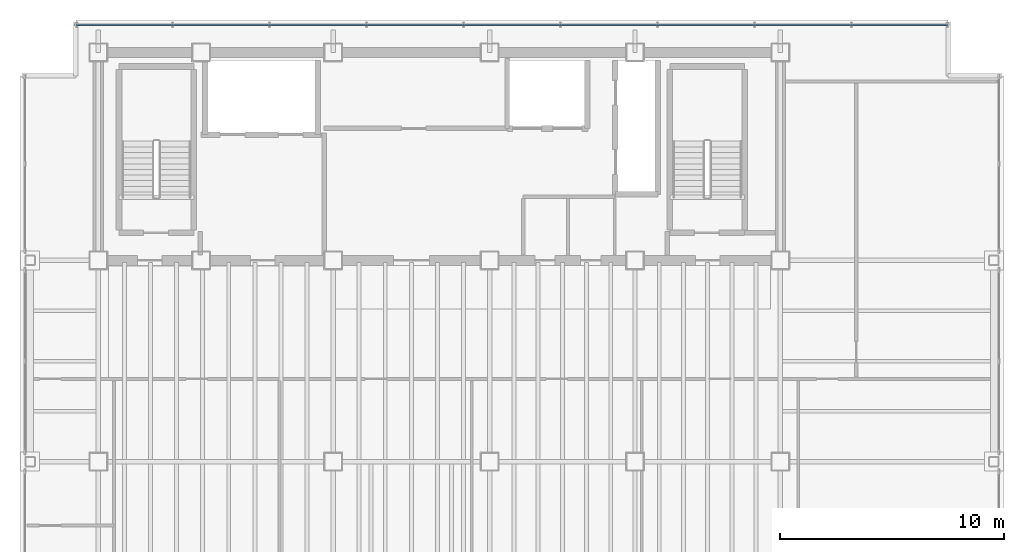
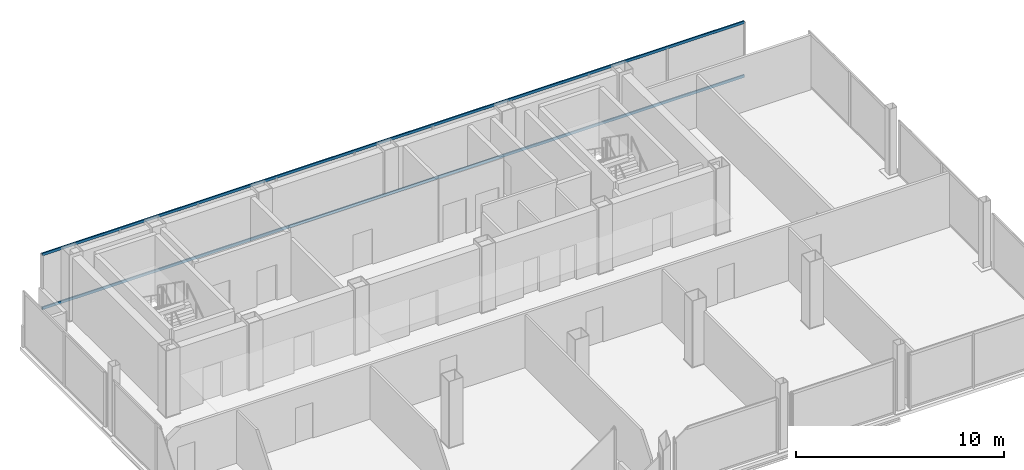
# One storey, part 8 of 15: 2 members, 1 element without a shape of its own.
"""IFC4 building model written with IfcOpenShell, lengths in metres."""

from ifc_helpers import new_model, si_unit, direction, frame, origin, origin_2d, place, context, subcontext, project, spatial, hollow_rectangle, extrude, material, material_profile, profile_set, type_object, element, aggregate, save


model = new_model("IFC4")

# Units and contexts
model_context = context("Model", 3, precision=1e-05, world=origin(), true_north=direction((0.0, 1.0)))
body_context = subcontext(model_context, "Body", "Model", "MODEL_VIEW")
ifc_project = project(units=[si_unit("LENGTHUNIT", "METRE"), si_unit("AREAUNIT", "SQUARE_METRE"), si_unit("VOLUMEUNIT", "CUBIC_METRE"), si_unit("PLANEANGLEUNIT", "RADIAN"), si_unit("MASSUNIT", "GRAM", prefix="KILO")], contexts=[model_context])

# Site, building, storey
site_placement = place(None, origin())
site = spatial("IfcSite", under=ifc_project, at=site_placement, CompositionType="ELEMENT")
building_placement = place(site_placement, origin())
building = spatial("IfcBuilding", under=site, at=building_placement, Name="Noeulbin Bourse Tower", CompositionType="ELEMENT")
storey_placement = place(building_placement, frame((0.0, 0.0, 211.10009765625)))
storey = spatial("IfcBuildingStorey", under=building, at=storey_placement, Name="L52", CompositionType="ELEMENT", Elevation=211.10009765625)

# Curtain wall, members
ifc_material_1 = material(Name="High-Selectivity Low-Iron Glazing", Category="glass")
curtain_wall_type = type_object("IfcCurtainWallType", Name="CW-SYS-4", PredefinedType="NOTDEFINED", material=ifc_material_1)
curtain_wall_placement = place(storey_placement, origin())
curtain_wall = element("IfcCurtainWall", 1, at=curtain_wall_placement, inside=storey, type_object=curtain_wall_type, Name="Unitised Curtain Wall CW-L52-N", PredefinedType="NOTDEFINED")
ifc_material_2 = material(Name="Anodised Aluminium 6063-T6", Category="aluminium")
ifc_material_profile = material_profile(ifc_material_2, hollow_rectangle(XDim=0.074951171875, YDim=0.159912109375, WallThickness=0.0048828125, InnerFilletRadius=0.00244140625, OuterFilletRadius=0.0048828125, at=origin_2d()), Name="ALU-TRAN-75x160x5", Category="LoadBearing")
ifc_profile_set = profile_set([ifc_material_profile], Name="Anodised Aluminium 6063-T6")
member_type = type_object("IfcMemberType", Name="CW-SYS-4-TRN", PredefinedType="USERDEFINED", material=ifc_profile_set)
member_1_placement = place(storey_placement, frame((12.530029296875, 39.530029296875, 0.010009765625), z_axis=(1.0, 0.0, 0.0), x_axis=(0.0, 1.0, 0.0)))
member_1 = element("IfcMember", 2, at=member_1_placement, type_object=member_type, Name="Curtain Wall Transom CW-L52-N-T00", ObjectType="TRANSOM", PredefinedType="USERDEFINED", context=body_context, shape_type="SweptSolid", body=[
    extrude(hollow_rectangle(XDim=0.074951171875, YDim=0.159912109375, WallThickness=0.0048828125, InnerFilletRadius=0.00244140625, OuterFilletRadius=0.0048828125, at=origin_2d()), origin(), (0.0, 0.0, 1.0), 38.93994140625),
])
member_2_placement = place(storey_placement, frame((12.530029296875, 39.530029296875, 3.169921875), z_axis=(1.0, 0.0, 0.0), x_axis=(0.0, 1.0, 0.0)))
member_2 = element("IfcMember", 3, at=member_2_placement, type_object=member_type, Name="Curtain Wall Transom CW-L52-N-T01", ObjectType="TRANSOM", PredefinedType="USERDEFINED", context=body_context, shape_type="SweptSolid", body=[
    extrude(hollow_rectangle(XDim=0.074951171875, YDim=0.159912109375, WallThickness=0.0048828125, InnerFilletRadius=0.00244140625, OuterFilletRadius=0.0048828125, at=origin_2d()), origin(), (0.0, 0.0, 1.0), 38.93994140625),
])
aggregate(curtain_wall, [member_1, member_2])

save(model, "model.ifc")
